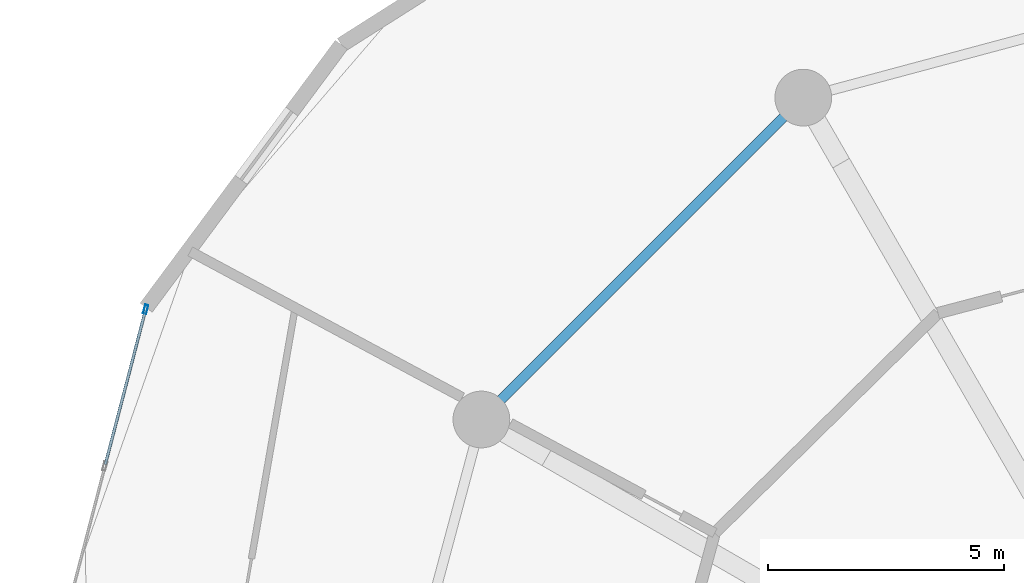
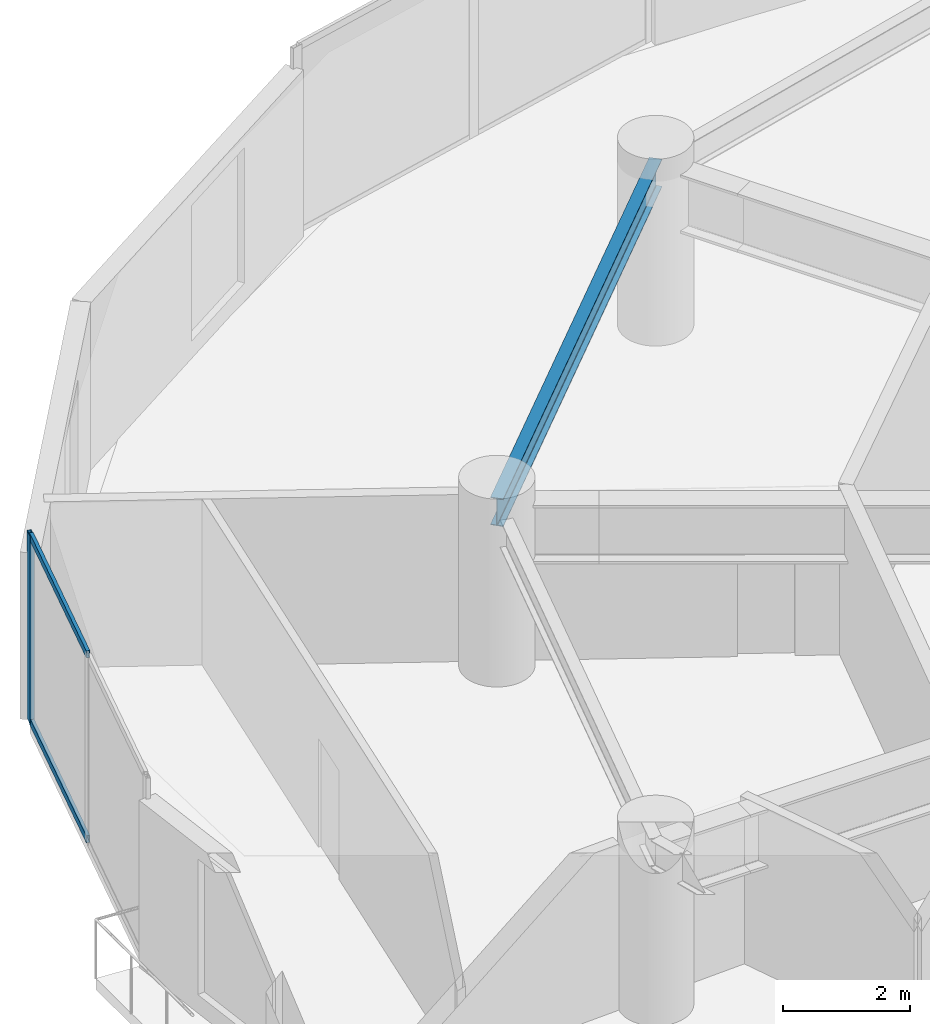
# One storey, part 12 of 24: 3 members, 1 beam, 1 element without a shape of its own.
"""IFC4 building model written with IfcOpenShell, lengths in metres."""

from ifc_helpers import new_model, si_unit, direction, frame, origin, origin_2d, place, context, subcontext, project, spatial, hollow_rectangle, i_section, extrude, source, transform, mapped, material, layer, layer_set, material_profile, profile_set, type_object, element, aggregate, save


model = new_model("IFC4")

# Units and contexts
model_context = context("Model", 3, precision=1e-05, world=origin(), true_north=direction((0.0, 1.0)))
body_context = subcontext(model_context, "Body", "Model", "MODEL_VIEW")
ifc_project = project(units=[si_unit("LENGTHUNIT", "METRE"), si_unit("AREAUNIT", "SQUARE_METRE"), si_unit("VOLUMEUNIT", "CUBIC_METRE"), si_unit("PLANEANGLEUNIT", "RADIAN"), si_unit("MASSUNIT", "GRAM", prefix="KILO")], contexts=[model_context])

# Site, building, storey
site_placement = place(None, origin())
site = spatial("IfcSite", under=ifc_project, at=site_placement, CompositionType="ELEMENT")
building_placement = place(site_placement, origin())
building = spatial("IfcBuilding", under=site, at=building_placement, Name="Solvirekh Grand Hotel", CompositionType="ELEMENT")
storey_placement = place(building_placement, frame((0.0, 0.0, 89.60009765625)))
storey = spatial("IfcBuildingStorey", under=building, at=storey_placement, Name="L22", CompositionType="ELEMENT", Elevation=89.60009765625)

# Beam
ifc_material_1 = material(Name="Steel S355", Category="steel")
ifc_material_profile_1 = material_profile(ifc_material_1, i_section(OverallWidth=0.208984375, OverallDepth=0.532958984375, WebThickness=0.010009765625, FlangeThickness=0.014892578125, FilletRadius=0.013916015625, at=origin_2d()), Name="W530X92")
ifc_profile_set_1 = profile_set([ifc_material_profile_1], Name="Steel S355")
beam_type = type_object("IfcBeamType", Name="Spandrel_Ring_W530", PredefinedType="SPANDREL", material=ifc_profile_set_1)
beam_placement = place(storey_placement, frame((-9.300048828125, 16.10791015625, 2.933837890625), z_axis=(-0.707106781187, -0.707106781187, 0.0), x_axis=(0.707106781187, -0.707106781187, 0.0)))
element("IfcBeam", 1, at=beam_placement, inside=storey, type_object=beam_type, Name="L22 perimeter spandrel beam 5", PredefinedType="SPANDREL", context=body_context, shape_type="SweptSolid", body=[
    extrude(i_section(OverallWidth=0.208984375, OverallDepth=0.532958984375, WebThickness=0.010009765625, FlangeThickness=0.014892578125, FilletRadius=0.013916015625, at=origin_2d()), origin(), (0.0, 0.0, 1.0), 9.627685546875),
])

# Curtain wall, members
ifc_material_2 = material(Name="Anodized Bronze Aluminium 6063-T6", Category="aluminium")
ifc_layer = layer(ifc_material_2, 0.18994140625)
ifc_layer_set = layer_set([ifc_layer], Name="Anodized Bronze Aluminium 6063-T6")
curtain_wall_type = type_object("IfcCurtainWallType", Name="CW_Sys2_LowZoneFlushBronzeCW", PredefinedType="NOTDEFINED", material=ifc_layer_set)
curtain_wall_placement = place(storey_placement, origin())
curtain_wall = element("IfcCurtainWall", 2, at=curtain_wall_placement, inside=storey, type_object=curtain_wall_type, Name="L22 unitised bronze-glass curtain wall CW-L22-C11", PredefinedType="NOTDEFINED")
ifc_material_profile_2 = material_profile(ifc_material_2, hollow_rectangle(XDim=0.06005859375, YDim=0.135009765625, WallThickness=0.00390625, at=origin_2d()), Name="ALU RHS 135X60X4")
ifc_profile_set_2 = profile_set([ifc_material_profile_2], Name="Anodized Bronze Aluminium 6063-T6")
member_type_1 = type_object("IfcMemberType", Name="CWTransom_Sys2", PredefinedType="USERDEFINED", material=ifc_profile_set_2)
shared_shape_1 = source(origin(), body_context, "Body", "SweptSolid", [
    extrude(hollow_rectangle(XDim=0.06005859375, YDim=0.135009765625, WallThickness=0.00390625, at=origin_2d()), origin(), (0.0, 0.0, 1.0), 3.357666015625),
])
member_1_placement = place(storey_placement, frame((-23.216552734375, 11.59814453125, 0.02978515625), z_axis=(-0.252155501667, -0.967686727706, 0.0), x_axis=(0.967686727706, -0.252155501667, 0.0)))
member_1 = element("IfcMember", 3, at=member_1_placement, type_object=member_type_1, Name="U02 transom 1.1", ObjectType="TRANSOM", PredefinedType="USERDEFINED", context=body_context, shape_type="MappedRepresentation", body=[
    mapped(shared_shape_1, transform((0.0, 0.0, 0.0), x_axis=(1.0, 0.0, 0.0), y_axis=(0.0, 1.0, 0.0), z_axis=(0.0, 0.0, 1.0), scale=1.0)),
])
member_2_placement = place(storey_placement, frame((-23.216552734375, 11.59814453125, 3.56982421875), z_axis=(-0.252155501667, -0.967686727706, 0.0), x_axis=(0.967686727706, -0.252155501667, 0.0)))
member_2 = element("IfcMember", 4, at=member_2_placement, type_object=member_type_1, Name="U02 transom 1.2", ObjectType="TRANSOM", PredefinedType="USERDEFINED", context=body_context, shape_type="MappedRepresentation", body=[
    mapped(shared_shape_1, transform((0.0, 0.0, 0.0), x_axis=(1.0, 0.0, 0.0), y_axis=(0.0, 1.0, 0.0), z_axis=(0.0, 0.0, 1.0), scale=1.0)),
])
ifc_material_profile_3 = material_profile(ifc_material_2, hollow_rectangle(XDim=0.070068359375, YDim=0.18994140625, WallThickness=0.0048828125, at=origin_2d()), Name="ALU RHS 190X70X5")
ifc_profile_set_3 = profile_set([ifc_material_profile_3], Name="Anodized Bronze Aluminium 6063-T6")
member_type_2 = type_object("IfcMemberType", Name="CWMullion_Sys2", PredefinedType="MULLION", material=ifc_profile_set_3)
shared_shape_2 = source(origin(), body_context, "Body", "SweptSolid", [
    extrude(hollow_rectangle(XDim=0.070068359375, YDim=0.18994140625, WallThickness=0.0048828125, at=origin_2d()), origin(), (0.0, 0.0, 1.0), 3.599853515625),
])
member_3_placement = place(storey_placement, frame((-23.207763671875, 11.632080078125, 0.0), z_axis=(0.0, 0.0, 1.0), x_axis=(0.967700020826, -0.252104481701, 0.0)))
member_3 = element("IfcMember", 5, at=member_3_placement, type_object=member_type_2, Name="U02 mullion 1", PredefinedType="MULLION", context=body_context, shape_type="MappedRepresentation", body=[
    mapped(shared_shape_2, transform((0.0, 0.0, 0.0), x_axis=(1.0, 0.0, 0.0), y_axis=(0.0, 1.0, 0.0), z_axis=(0.0, 0.0, 1.0), scale=1.0)),
])
aggregate(curtain_wall, [member_3, member_1, member_2])

save(model, "model.ifc")
